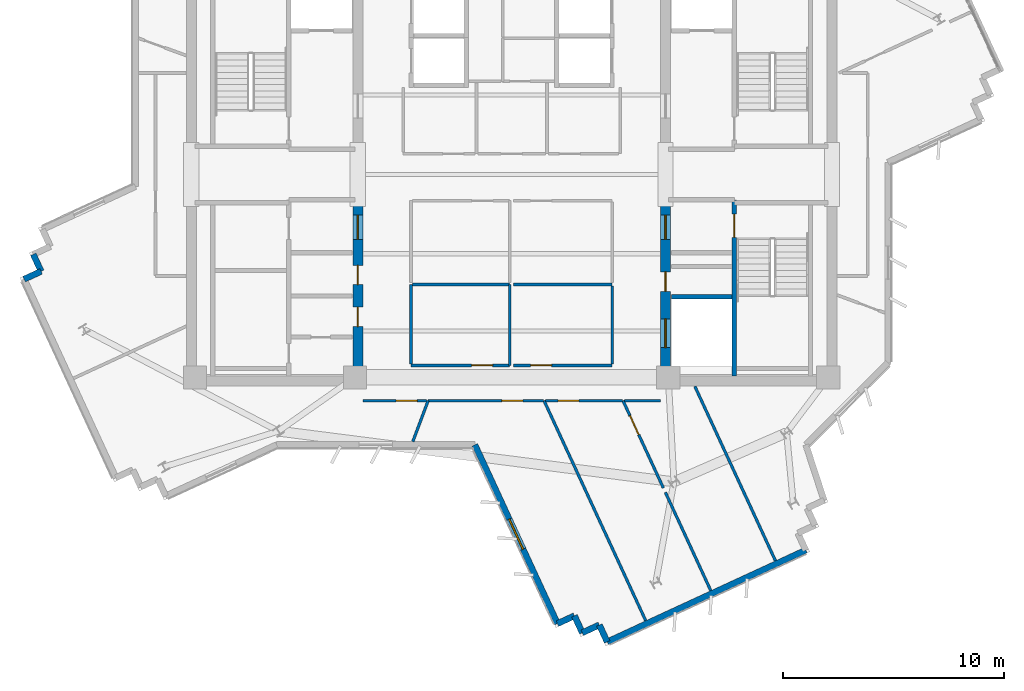
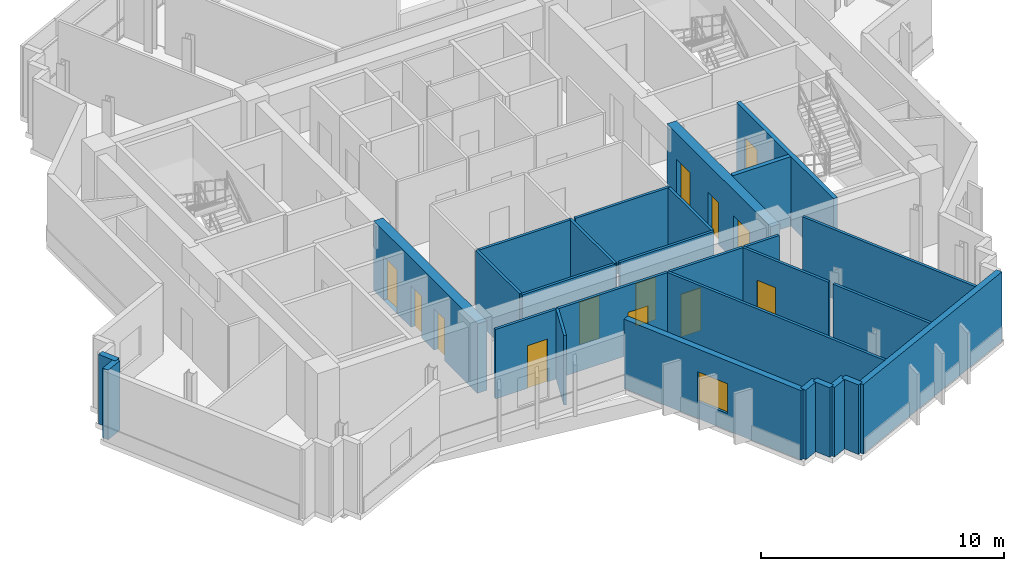
# One storey, part 5 of 12: 28 walls, 13 doors, 1 window, 14 openings.
"""IFC4 building model written with IfcOpenShell, lengths in metres."""

import ifcopenshell
import ifcopenshell.guid

model = None  # the IFC model being written
_history = None  # IfcOwnerHistory: only IFC2X3 demands one
_inside = {}  # id of a spatial element -> (the spatial element, [elements in it])
_under = {}  # id of a project, library or spatial element -> (it, [spatial elements below it])
_declared = {}  # id of a project -> (the project, [libraries it declares])
_typed = {}  # id of a type object -> (the type object, [elements of that type])
_made_of = {}  # id of a material, layer set ... -> (it, [elements and type objects made of it])


def new_model(schema):
    """Start an empty IFC model of exactly this schema.

    Asked for "IFC4X3", IfcOpenShell would pick the latest addendum, in which some entities
    have other attributes; the version numbers below select the first issue.
    IFC2X3 requires an IfcOwnerHistory on every rooted entity: one is made here for all.
    """
    global model, _history
    if schema == "IFC4X3":
        model = ifcopenshell.file(schema_version=(4, 3, 0, 0))
    else:
        model = ifcopenshell.file(schema=schema)
    _inside.clear()
    _under.clear()
    _declared.clear()
    _typed.clear()
    _made_of.clear()
    _history = None
    if model.schema == "IFC2X3":
        org = make("IfcOrganization", Name="unknown")
        user = make(
            "IfcPersonAndOrganization",
            ThePerson=make("IfcPerson", FamilyName="unknown"),
            TheOrganization=org,
        )
        app = make(
            "IfcApplication",
            ApplicationDeveloper=org,
            Version="unknown",
            ApplicationFullName="unknown",
            ApplicationIdentifier="unknown",
        )
        _history = make(
            "IfcOwnerHistory",
            OwningUser=user,
            OwningApplication=app,
            ChangeAction="ADDED",
            CreationDate=0,
        )
    return model


def make(cls, **values):
    """One entity of the class cls with the attributes given. An attribute that is None is left unset."""
    return model.create_entity(
        cls, **{name: value for name, value in values.items() if value is not None}
    )


def rooted(cls, **values):
    """An entity with a GlobalId (a new one), such as an element, a storey or a relation."""
    return make(cls, GlobalId=ifcopenshell.guid.new(), OwnerHistory=_history, **values)


def si_unit(unit_type, name, prefix=None):
    """IfcSIUnit, for example si_unit("LENGTHUNIT", "METRE", prefix="MILLI")."""
    return make("IfcSIUnit", UnitType=unit_type, Prefix=prefix, Name=name)


def assignment(units):
    """IfcUnitAssignment: the units of a project."""
    return None if units is None else make("IfcUnitAssignment", Units=units)


def point(xyz):
    """IfcCartesianPoint."""
    return None if xyz is None else make("IfcCartesianPoint", Coordinates=xyz)


def direction(xyz):
    """IfcDirection."""
    return None if xyz is None else make("IfcDirection", DirectionRatios=xyz)


def frame(location, z_axis=None, x_axis=None):
    """IfcAxis2Placement3D, a coordinate frame: its origin and axes. An axis left out is left unset."""
    return make(
        "IfcAxis2Placement3D",
        Location=point(location),
        Axis=direction(z_axis),
        RefDirection=direction(x_axis),
    )


def frame_2d(location, x_axis=None):
    """IfcAxis2Placement2D, a coordinate frame in the plane: its origin and x axis."""
    return make(
        "IfcAxis2Placement2D", Location=point(location), RefDirection=direction(x_axis)
    )


def origin():
    """The frame at (0, 0, 0) with its axes left unset."""
    return frame((0.0, 0.0, 0.0))


def place(relative_to, where):
    """IfcLocalPlacement: puts the frame where relative to a parent placement (None: the world)."""
    return make(
        "IfcLocalPlacement", PlacementRelTo=relative_to, RelativePlacement=where
    )


def context(
    kind, dimensions, precision=None, world=None, true_north=None, identifier=None
):
    """IfcGeometricRepresentationContext, for example the 3D "Model" context."""
    return make(
        "IfcGeometricRepresentationContext",
        ContextIdentifier=identifier,
        ContextType=kind,
        CoordinateSpaceDimension=dimensions,
        Precision=precision,
        WorldCoordinateSystem=world,
        TrueNorth=true_north,
    )


def subcontext(parent, identifier, kind, view, scale=None):
    """IfcGeometricRepresentationSubContext, for example "Body" below "Model"."""
    return make(
        "IfcGeometricRepresentationSubContext",
        ContextIdentifier=identifier,
        ContextType=kind,
        ParentContext=parent,
        TargetScale=scale,
        TargetView=view,
    )


def project(units=None, contexts=None):
    """IfcProject with its units and contexts."""
    return rooted(
        "IfcProject",
        Name="project",
        RepresentationContexts=contexts,
        UnitsInContext=assignment(units),
    )


def spatial(cls, under=None, at=None, **own):
    """A site, building, storey or space (cls), placed at a placement, below another one or the project."""
    s = rooted(cls, ObjectPlacement=at, **own)
    if under is not None:
        _under.setdefault(under.id(), (under, []))[1].append(s)
    return s


def profile(cls, at=None, kind="AREA", **sizes):
    """A parametric profile (cls). Its sizes go by their IFC names, for example OverallWidth=200.0."""
    return make(cls, ProfileType=kind, Position=at, **sizes)


def rectangle(**sizes):
    """IfcRectangleProfileDef."""
    return profile("IfcRectangleProfileDef", **sizes)


def extrude(swept, where, along, depth):
    """IfcExtrudedAreaSolid: the profile swept, set in the frame where, extruded along a direction by depth."""
    return make(
        "IfcExtrudedAreaSolid",
        SweptArea=swept,
        Position=where,
        ExtrudedDirection=direction(along),
        Depth=depth,
    )


def shape(context_of_items, identifier, shape_type, items):
    """IfcShapeRepresentation: the items that make up one representation, for example the "Body"."""
    return make(
        "IfcShapeRepresentation",
        ContextOfItems=context_of_items,
        RepresentationIdentifier=identifier,
        RepresentationType=shape_type,
        Items=items,
    )


def source(mapping_origin, context_of_items, identifier, shape_type, items):
    """IfcRepresentationMap: a shape defined once, which mapped items show again and again."""
    return make(
        "IfcRepresentationMap",
        MappingOrigin=mapping_origin,
        MappedRepresentation=shape(context_of_items, identifier, shape_type, items),
    )


def transform(
    local_origin,
    x_axis=None,
    y_axis=None,
    z_axis=None,
    scale=None,
    scale2=None,
    scale3=None,
    uniform=True,
):
    """IfcCartesianTransformationOperator3D, or its non-uniform kind. x_axis, y_axis, z_axis: its Axis1, 2, 3."""
    if uniform:
        return make(
            "IfcCartesianTransformationOperator3D",
            Axis1=direction(x_axis),
            Axis2=direction(y_axis),
            LocalOrigin=point(local_origin),
            Scale=scale,
            Axis3=direction(z_axis),
        )
    return make(
        "IfcCartesianTransformationOperator3DnonUniform",
        Axis1=direction(x_axis),
        Axis2=direction(y_axis),
        LocalOrigin=point(local_origin),
        Scale=scale,
        Axis3=direction(z_axis),
        Scale2=scale2,
        Scale3=scale3,
    )


def mapped(mapping_source, mapping_target):
    """IfcMappedItem: shows the shape of a source again, moved by a transform."""
    return make(
        "IfcMappedItem", MappingSource=mapping_source, MappingTarget=mapping_target
    )


def material(Name=None, Category=None):
    """IfcMaterial."""
    return make("IfcMaterial", Name=Name, Category=Category)


def layer(
    of_material, thickness, ventilated=None, Name=None, Category=None, Priority=None
):
    """IfcMaterialLayer: one layer of a wall or slab, of a material (None: an air gap)."""
    return make(
        "IfcMaterialLayer",
        Material=of_material,
        LayerThickness=thickness,
        IsVentilated=ventilated,
        Name=Name,
        Category=Category,
        Priority=Priority,
    )


def layer_set(layers, Name=None):
    """IfcMaterialLayerSet."""
    return make("IfcMaterialLayerSet", MaterialLayers=layers, LayerSetName=Name)


def made_of(thing, what):
    """Note that an element or type object is made of a material, layer set ...; save() writes the relation."""
    if what is not None:
        _made_of.setdefault(what.id(), (what, []))[1].append(thing)
    return thing


def type_object(cls, material=None, **own):
    """A type object (cls), such as IfcWallType, which elements share."""
    return made_of(rooted(cls, **own), material)


def element(
    cls,
    number,
    at=None,
    inside=None,
    cuts=None,
    type_object=None,
    material=None,
    context=None,
    identifier="Body",
    shape_type=None,
    held_by="IfcProductDefinitionShape",
    body=None,
    shapes=None,
    **own,
):
    """One element of the class cls, such as IfcWall. Its Tag is "e" and its number.

    at: its placement. inside: the storey or other place that contains it. cuts: it is an
    opening in that element (IfcRelVoidsElement). A single representation is given by context,
    identifier, shape_type and body (its items); several are given by shapes. held_by: the class
    of the entity that holds the representations. save() writes the other relations.
    """
    e = rooted(cls, Tag="e%d" % number, ObjectPlacement=at, **own)
    if body is not None:
        shapes = [shape(context, identifier, shape_type, body)]
    if shapes is not None:
        e.Representation = make(held_by, Representations=shapes)
    if inside is not None:
        _inside.setdefault(inside.id(), (inside, []))[1].append(e)
    if cuts is not None:
        rooted(
            "IfcRelVoidsElement", RelatingBuildingElement=cuts, RelatedOpeningElement=e
        )
    if type_object is not None:
        _typed.setdefault(type_object.id(), (type_object, []))[1].append(e)
    return made_of(e, material)


def fill(opening, filler):
    """IfcRelFillsElement: the door or window that sits in an opening."""
    return rooted(
        "IfcRelFillsElement",
        RelatingOpeningElement=opening,
        RelatedBuildingElement=filler,
    )


def aggregate(whole, parts):
    """IfcRelAggregates: a whole, such as a stair, and the parts it consists of."""
    return rooted("IfcRelAggregates", RelatingObject=whole, RelatedObjects=parts)


def save(model, path):
    """Write the relations noted so far, then the file.

    IfcRelAggregates (storeys below a building ...), IfcRelContainedInSpatialStructure (elements
    in a storey), IfcRelDefinesByType, IfcRelAssociatesMaterial and IfcRelDeclares: one each for
    every whole, place, type object, material and project.
    """
    for whole, parts in _under.values():
        aggregate(whole, parts)
    for where, things in _inside.values():
        rooted(
            "IfcRelContainedInSpatialStructure",
            RelatedElements=things,
            RelatingStructure=where,
        )
    for kind, things in _typed.values():
        rooted("IfcRelDefinesByType", RelatedObjects=things, RelatingType=kind)
    for what, things in _made_of.values():
        rooted("IfcRelAssociatesMaterial", RelatedObjects=things, RelatingMaterial=what)
    for by, libraries in _declared.values():
        rooted("IfcRelDeclares", RelatingContext=by, RelatedDefinitions=libraries)
    model.write(path)


model = new_model("IFC4")

# Units and contexts
model_context = context("Model", 3, precision=1e-05, world=origin(), true_north=direction((0.0, 1.0)))
body_context = subcontext(model_context, "Body", "Model", "MODEL_VIEW")
ifc_project = project(units=[si_unit("LENGTHUNIT", "METRE"), si_unit("AREAUNIT", "SQUARE_METRE"), si_unit("VOLUMEUNIT", "CUBIC_METRE"), si_unit("PLANEANGLEUNIT", "RADIAN"), si_unit("MASSUNIT", "GRAM", prefix="KILO")], contexts=[model_context])

# Site, building, storey
site_placement = place(None, origin())
site = spatial("IfcSite", under=ifc_project, at=site_placement, CompositionType="ELEMENT")
building_placement = place(site_placement, origin())
building = spatial("IfcBuilding", under=site, at=building_placement, Name="Zahravan Cultural Tower", CompositionType="ELEMENT")
storey_placement = place(building_placement, frame((0.0, 0.0, 246.60009765625)))
storey = spatial("IfcBuildingStorey", under=building, at=storey_placement, Name="L58", CompositionType="ELEMENT", Elevation=246.60009765625)

# Wall, openings, doors
ifc_material_1 = material(Name="Concrete C50/60", Category="concrete")
ifc_layer_1 = layer(ifc_material_1, 0.449951171875)
ifc_layer_set_1 = layer_set([ifc_layer_1], Name="Concrete C50/60")
wall_type_1 = type_object("IfcWallType", Name="CW-SHEAR-450-C50", PredefinedType="SHEAR", material=ifc_layer_set_1)
wall_1_placement = place(storey_placement, frame((29.02490234375, 17.39990234375, 0.0), z_axis=(0.0, 0.0, 1.0), x_axis=(0.0, 1.0, 0.0)))
wall_1 = element("IfcWall", 1, at=wall_1_placement, inside=storey, type_object=wall_type_1, Name="L58 Core Shear Wall CW-W-ES-L58", PredefinedType="SHEAR", context=body_context, shape_type="SweptSolid", body=[
    extrude(rectangle(XDim=8.550048828125, YDim=0.449951171875, at=frame_2d((4.27490234375, 0.0))), origin(), (0.0, 0.0, 1.0), 3.5),
])
opening_1_placement = place(wall_1_placement, frame((6.64990234375, 0.0, 0.0)))
opening_1 = element("IfcOpeningElement", 2, at=opening_1_placement, cuts=wall_1, Name="Opening D-L58-08", PredefinedType="OPENING", context=body_context, shape_type="SweptSolid", body=[
    extrude(rectangle(XDim=1.10009765625, YDim=2.199951171875, at=frame_2d((0.550048828125, 1.10009765625))), frame((0.0, 0.23486328125, 0.0), z_axis=(0.0, -1.0, 0.0), x_axis=(1.0, 0.0, 0.0)), (0.0, 0.0, 1.0), 0.469970703125),
])
opening_2_placement = place(wall_1_placement, frame((2.699951171875, 0.0, 0.0)))
opening_2 = element("IfcOpeningElement", 3, at=opening_2_placement, cuts=wall_1, Name="Opening D-L58-11", PredefinedType="OPENING", context=body_context, shape_type="SweptSolid", body=[
    extrude(rectangle(XDim=0.8798828125, YDim=2.10009765625, at=frame_2d((0.43994140625, 1.050048828125))), frame((0.0, 0.23486328125, 0.0), z_axis=(0.0, -1.0, 0.0), x_axis=(1.0, 0.0, 0.0)), (0.0, 0.0, 1.0), 0.469970703125),
])
opening_3_placement = place(wall_1_placement, frame((4.60009765625, 0.0, 0.0)))
opening_3 = element("IfcOpeningElement", 4, at=opening_3_placement, cuts=wall_1, Name="Opening D-L58-12", PredefinedType="OPENING", context=body_context, shape_type="SweptSolid", body=[
    extrude(rectangle(XDim=0.8798828125, YDim=2.10009765625, at=frame_2d((0.43994140625, 1.050048828125))), frame((0.0, 0.23486328125, 0.0), z_axis=(0.0, -1.0, 0.0), x_axis=(1.0, 0.0, 0.0)), (0.0, 0.0, 1.0), 0.469970703125),
])
ifc_material_2 = material(Name="Steel ASTM A572 Grade 50", Category="steel")
door_type_1 = type_object("IfcDoorType", Name="DR-LOBBY-1100", OperationType="NOTDEFINED", PredefinedType="DOOR", material=ifc_material_2)
shared_shape_1 = source(origin(), body_context, "Body", "SweptSolid", [
    extrude(rectangle(XDim=1.10009765625, YDim=2.199951171875, at=frame_2d((0.550048828125, 1.10009765625))), frame((0.0, 0.02490234375, 0.0), z_axis=(0.0, -1.0, 0.0), x_axis=(1.0, 0.0, 0.0)), (0.0, 0.0, 1.0), 0.050048828125),
])
door_1_placement = place(opening_1_placement, origin())
door_1 = element("IfcDoor", 5, at=door_1_placement, inside=storey, type_object=door_type_1, Name="L58 Door D-L58-08", OperationType="SINGLE_SWING_LEFT", OverallHeight=2.199951171875, OverallWidth=1.10009765625, PredefinedType="DOOR", context=body_context, shape_type="MappedRepresentation", body=[
    mapped(shared_shape_1, transform((0.0, 0.0, 0.0), x_axis=(1.0, 0.0, 0.0), y_axis=(0.0, 1.0, 0.0), z_axis=(0.0, 0.0, 1.0), scale=1.0)),
])
fill(opening_1, door_1)
door_type_2 = type_object("IfcDoorType", Name="DR-SVC-880", OperationType="NOTDEFINED", PredefinedType="DOOR", material=ifc_material_2)
shared_shape_2 = source(origin(), body_context, "Body", "SweptSolid", [
    extrude(rectangle(XDim=0.8798828125, YDim=2.10009765625, at=frame_2d((0.43994140625, 1.050048828125))), frame((0.0, 0.02490234375, 0.0), z_axis=(0.0, -1.0, 0.0), x_axis=(1.0, 0.0, 0.0)), (0.0, 0.0, 1.0), 0.050048828125),
])
door_2_placement = place(opening_2_placement, origin())
door_2 = element("IfcDoor", 6, at=door_2_placement, inside=storey, type_object=door_type_2, Name="L58 Door D-L58-11", OperationType="SINGLE_SWING_RIGHT", OverallHeight=2.10009765625, OverallWidth=0.8798828125, PredefinedType="DOOR", context=body_context, shape_type="MappedRepresentation", body=[
    mapped(shared_shape_2, transform((0.0, 0.0, 0.0), x_axis=(1.0, 0.0, 0.0), y_axis=(0.0, 1.0, 0.0), z_axis=(0.0, 0.0, 1.0), scale=1.0)),
])
fill(opening_2, door_2)
door_3_placement = place(opening_3_placement, origin())
door_3 = element("IfcDoor", 7, at=door_3_placement, inside=storey, type_object=door_type_2, Name="L58 Door D-L58-12", OperationType="SINGLE_SWING_LEFT", OverallHeight=2.10009765625, OverallWidth=0.8798828125, PredefinedType="DOOR", context=body_context, shape_type="MappedRepresentation", body=[
    mapped(shared_shape_2, transform((0.0, 0.0, 0.0), x_axis=(1.0, 0.0, 0.0), y_axis=(0.0, 1.0, 0.0), z_axis=(0.0, 0.0, 1.0), scale=1.0)),
])
fill(opening_3, door_3)

wall_2_placement = place(storey_placement, frame((42.97509765625, 17.39990234375, 0.0), z_axis=(0.0, 0.0, 1.0), x_axis=(0.0, 1.0, 0.0)))
wall_2 = element("IfcWall", 8, at=wall_2_placement, inside=storey, type_object=wall_type_1, Name="L58 Core Shear Wall CW-E-WS-L58", PredefinedType="SHEAR", context=body_context, shape_type="SweptSolid", body=[
    extrude(rectangle(XDim=8.550048828125, YDim=0.449951171875, at=frame_2d((4.27490234375, 0.0))), origin(), (0.0, 0.0, 1.0), 3.5),
])
opening_4_placement = place(wall_2_placement, frame((6.64990234375, 0.0, 0.0)))
opening_4 = element("IfcOpeningElement", 9, at=opening_4_placement, cuts=wall_2, Name="Opening D-L58-09", PredefinedType="OPENING", context=body_context, shape_type="SweptSolid", body=[
    extrude(rectangle(XDim=1.10009765625, YDim=2.199951171875, at=frame_2d((0.550048828125, 1.10009765625))), frame((0.0, 0.23486328125, 0.0), z_axis=(0.0, -1.0, 0.0), x_axis=(1.0, 0.0, 0.0)), (0.0, 0.0, 1.0), 0.469970703125),
])
opening_5_placement = place(wall_2_placement, frame((1.75, 0.0, 0.0)))
opening_5 = element("IfcOpeningElement", 10, at=opening_5_placement, cuts=wall_2, Name="Opening LD-L58-03", PredefinedType="OPENING", context=body_context, shape_type="SweptSolid", body=[
    extrude(rectangle(XDim=1.300048828125, YDim=2.199951171875, at=frame_2d((0.64990234375, 1.10009765625))), frame((0.0, 0.23486328125, 0.0), z_axis=(0.0, -1.0, 0.0), x_axis=(1.0, 0.0, 0.0)), (0.0, 0.0, 1.0), 0.469970703125),
])
opening_6_placement = place(wall_2_placement, frame((4.300048828125, 0.0, 0.0)))
opening_6 = element("IfcOpeningElement", 11, at=opening_6_placement, cuts=wall_2, Name="Opening D-L58-13", PredefinedType="OPENING", context=body_context, shape_type="SweptSolid", body=[
    extrude(rectangle(XDim=0.8798828125, YDim=2.10009765625, at=frame_2d((0.43994140625, 1.050048828125))), frame((0.0, 0.23486328125, 0.0), z_axis=(0.0, -1.0, 0.0), x_axis=(1.0, 0.0, 0.0)), (0.0, 0.0, 1.0), 0.469970703125),
])
door_4_placement = place(opening_4_placement, origin())
door_4 = element("IfcDoor", 12, at=door_4_placement, inside=storey, type_object=door_type_1, Name="L58 Door D-L58-09", OperationType="SINGLE_SWING_RIGHT", OverallHeight=2.199951171875, OverallWidth=1.10009765625, PredefinedType="DOOR", context=body_context, shape_type="MappedRepresentation", body=[
    mapped(shared_shape_1, transform((0.0, 0.0, 0.0), x_axis=(1.0, 0.0, 0.0), y_axis=(0.0, 1.0, 0.0), z_axis=(0.0, 0.0, 1.0), scale=1.0)),
])
fill(opening_4, door_4)
door_type_3 = type_object("IfcDoorType", Name="DR-LIFT-1300", OperationType="DOUBLE_DOOR_SLIDING", PredefinedType="DOOR", material=ifc_material_2)
shared_shape_3 = source(origin(), body_context, "Body", "SweptSolid", [
    extrude(rectangle(XDim=1.300048828125, YDim=2.199951171875, at=frame_2d((0.64990234375, 1.10009765625))), frame((0.0, 0.02490234375, 0.0), z_axis=(0.0, -1.0, 0.0), x_axis=(1.0, 0.0, 0.0)), (0.0, 0.0, 1.0), 0.050048828125),
])
door_5_placement = place(opening_5_placement, origin())
door_5 = element("IfcDoor", 13, at=door_5_placement, inside=storey, type_object=door_type_3, Name="L58 Door LD-L58-03", OperationType="DOUBLE_DOOR_SLIDING", OverallHeight=2.199951171875, OverallWidth=1.300048828125, PredefinedType="DOOR", context=body_context, shape_type="MappedRepresentation", body=[
    mapped(shared_shape_3, transform((0.0, 0.0, 0.0), x_axis=(1.0, 0.0, 0.0), y_axis=(0.0, 1.0, 0.0), z_axis=(0.0, 0.0, 1.0), scale=1.0)),
])
fill(opening_5, door_5)
door_6_placement = place(opening_6_placement, origin())
door_6 = element("IfcDoor", 14, at=door_6_placement, inside=storey, type_object=door_type_2, Name="L58 Door D-L58-13", OperationType="SINGLE_SWING_RIGHT", OverallHeight=2.10009765625, OverallWidth=0.8798828125, PredefinedType="DOOR", context=body_context, shape_type="MappedRepresentation", body=[
    mapped(shared_shape_2, transform((0.0, 0.0, 0.0), x_axis=(1.0, 0.0, 0.0), y_axis=(0.0, 1.0, 0.0), z_axis=(0.0, 0.0, 1.0), scale=1.0)),
])
fill(opening_6, door_6)

# Wall, opening, window
ifc_material_3 = material(Name="Precast concrete C40/50", Category="concrete")
ifc_layer_2 = layer(ifc_material_3, 0.280029296875)
ifc_layer_set_2 = layer_set([ifc_layer_2], Name="Precast concrete C40/50")
wall_type_2 = type_object("IfcWallType", Name="EW-TC-280", PredefinedType="SOLIDWALL", material=ifc_layer_set_2)
wall_3_placement = place(storey_placement, frame((38.07470703125, 6.6318359375, 0.0), z_axis=(0.0, 0.0, 1.0), x_axis=(-0.419437747849, 0.90778410191, 0.0)))
wall_3 = element("IfcWall", 15, at=wall_3_placement, inside=storey, type_object=wall_type_2, Name="L58 Exterior Masonry Frame Wall 23", PredefinedType="SOLIDWALL", context=body_context, shape_type="SweptSolid", body=[
    extrude(rectangle(XDim=8.931884765625, YDim=0.280029296875, at=frame_2d((4.4658203125, 0.0))), origin(), (0.0, 0.0, 1.0), 3.5),
])
opening_7_placement = place(wall_3_placement, frame((3.716064453125, 0.0, 0.85009765625)))
opening_7 = element("IfcOpeningElement", 16, at=opening_7_placement, cuts=wall_3, Name="Opening WN-03", PredefinedType="OPENING", context=body_context, shape_type="SweptSolid", body=[
    extrude(rectangle(XDim=1.5, YDim=1.5, at=frame_2d((0.75, 0.75))), frame((0.0, 0.14990234375, 0.0), z_axis=(0.0, -1.0, 0.0), x_axis=(1.0, 0.0, 0.0)), (0.0, 0.0, 1.0), 0.300048828125),
])
ifc_material_4 = material(Name="Low-E solar-control double glazing", Category="glass")
window_type = type_object("IfcWindowType", Name="WN-REC-1500X1500", PartitioningType="SINGLE_PANEL", PredefinedType="WINDOW", material=ifc_material_4)
shared_shape_4 = source(origin(), body_context, "Body", "SweptSolid", [
    extrude(rectangle(XDim=1.5, YDim=1.5, at=frame_2d((0.75, 0.75))), frame((0.0, 0.030029296875, 0.0), z_axis=(0.0, -1.0, 0.0), x_axis=(1.0, 0.0, 0.0)), (0.0, 0.0, 1.0), 0.06005859375),
])
window_placement = place(opening_7_placement, origin())
window = element("IfcWindow", 17, at=window_placement, inside=storey, type_object=window_type, Name="L58 Recessed Solar Window 05", OverallHeight=1.5, OverallWidth=1.5, PartitioningType="SINGLE_PANEL", PredefinedType="WINDOW", context=body_context, shape_type="MappedRepresentation", body=[
    mapped(shared_shape_4, transform((0.0, 0.0, 0.0), x_axis=(1.0, 0.0, 0.0), y_axis=(0.0, 1.0, 0.0), z_axis=(0.0, 0.0, 1.0), scale=1.0)),
])
fill(opening_7, window)

# Wall, opening, door
ifc_material_5 = material(Name="Gypsum plasterboard partition")
ifc_layer_3 = layer(ifc_material_5, 0.125)
ifc_layer_set_3 = layer_set([ifc_layer_3], Name="Gypsum plasterboard partition")
wall_type_3 = type_object("IfcWallType", Name="W-PART-125", PredefinedType="PARTITIONING", material=ifc_layer_set_3)
wall_4_placement = place(storey_placement, frame((35.909912109375, 18.340087890625, 0.0), z_axis=(0.0, 0.0, 1.0), x_axis=(-1.0, 0.0, 0.0)))
wall_4 = element("IfcWall", 18, at=wall_4_placement, inside=storey, type_object=wall_type_3, Name="L58 Interior Wall 058", PredefinedType="PARTITIONING", context=body_context, shape_type="SweptSolid", body=[
    extrude(rectangle(XDim=4.469970703125, YDim=0.125, at=frame_2d((2.23486328125, 0.0))), origin(), (0.0, 0.0, 1.0), 3.5),
])
opening_8_placement = place(wall_4_placement, frame((0.7744140625, 0.0, 0.0)))
opening_8 = element("IfcOpeningElement", 19, at=opening_8_placement, cuts=wall_4, Name="Opening D-L58-14", PredefinedType="OPENING", context=body_context, shape_type="SweptSolid", body=[
    extrude(rectangle(XDim=0.949951171875, YDim=2.14990234375, at=frame_2d((0.47509765625, 1.074951171875))), frame((0.0, 0.072509765625, 0.0), z_axis=(0.0, -1.0, 0.0), x_axis=(1.0, 0.0, 0.0)), (0.0, 0.0, 1.0), 0.14501953125),
])
ifc_material_6 = material(Name="Anodised bronze-aluminium mullion", Category="aluminium")
door_type_4 = type_object("IfcDoorType", Name="DR-ROOM-950", OperationType="NOTDEFINED", PredefinedType="DOOR", material=ifc_material_6)
shared_shape_5 = source(origin(), body_context, "Body", "SweptSolid", [
    extrude(rectangle(XDim=0.949951171875, YDim=2.14990234375, at=frame_2d((0.47509765625, 1.074951171875))), frame((0.0, 0.02490234375, 0.0), z_axis=(0.0, -1.0, 0.0), x_axis=(1.0, 0.0, 0.0)), (0.0, 0.0, 1.0), 0.050048828125),
])
door_7_placement = place(opening_8_placement, origin())
door_7 = element("IfcDoor", 20, at=door_7_placement, inside=storey, type_object=door_type_4, Name="L58 Door D-L58-14", OperationType="SINGLE_SWING_LEFT", OverallHeight=2.14990234375, OverallWidth=0.949951171875, PredefinedType="DOOR", context=body_context, shape_type="MappedRepresentation", body=[
    mapped(shared_shape_5, transform((0.0, 0.0, 0.0), x_axis=(1.0, 0.0, 0.0), y_axis=(0.0, 1.0, 0.0), z_axis=(0.0, 0.0, 1.0), scale=1.0)),
])
fill(opening_8, door_7)

wall_5_placement = place(storey_placement, frame((40.56005859375, 18.340087890625, 0.0), z_axis=(0.0, 0.0, 1.0), x_axis=(-1.0, 0.0, 0.0)))
wall_5 = element("IfcWall", 21, at=wall_5_placement, inside=storey, type_object=wall_type_3, Name="L58 Interior Wall 062", PredefinedType="PARTITIONING", context=body_context, shape_type="SweptSolid", body=[
    extrude(rectangle(XDim=4.469970703125, YDim=0.125, at=frame_2d((2.23486328125, 0.0))), origin(), (0.0, 0.0, 1.0), 3.5),
])
opening_9_placement = place(wall_5_placement, frame((2.74560546875, 0.0, 0.0)))
opening_9 = element("IfcOpeningElement", 22, at=opening_9_placement, cuts=wall_5, Name="Opening D-L58-16", PredefinedType="OPENING", context=body_context, shape_type="SweptSolid", body=[
    extrude(rectangle(XDim=0.949951171875, YDim=2.14990234375, at=frame_2d((0.47509765625, 1.074951171875))), frame((0.0, 0.072509765625, 0.0), z_axis=(0.0, -1.0, 0.0), x_axis=(1.0, 0.0, 0.0)), (0.0, 0.0, 1.0), 0.14501953125),
])
door_8_placement = place(opening_9_placement, origin())
door_8 = element("IfcDoor", 23, at=door_8_placement, inside=storey, type_object=door_type_4, Name="L58 Door D-L58-16", OperationType="SINGLE_SWING_LEFT", OverallHeight=2.14990234375, OverallWidth=0.949951171875, PredefinedType="DOOR", context=body_context, shape_type="MappedRepresentation", body=[
    mapped(shared_shape_5, transform((0.0, 0.0, 0.0), x_axis=(1.0, 0.0, 0.0), y_axis=(0.0, 1.0, 0.0), z_axis=(0.0, 0.0, 1.0), scale=1.0)),
])
fill(opening_9, door_8)

wall_6_placement = place(storey_placement, frame((42.877197265625, 12.78369140625, 0.0), z_axis=(0.0, 0.0, 1.0), x_axis=(-0.419416941906, 0.907793714917, 0.0)))
wall_6 = element("IfcWall", 24, at=wall_6_placement, inside=storey, type_object=wall_type_3, Name="L58 Interior Wall 075", PredefinedType="PARTITIONING", context=body_context, shape_type="SweptSolid", body=[
    extrude(rectangle(XDim=4.358154296875, YDim=0.125, at=frame_2d((2.17919921875, 0.0))), origin(), (0.0, 0.0, 1.0), 3.5),
])
opening_10_placement = place(wall_6_placement, frame((2.658203125, 0.0, 0.0)))
opening_10 = element("IfcOpeningElement", 25, at=opening_10_placement, cuts=wall_6, Name="Opening D-L58-34", PredefinedType="OPENING", context=body_context, shape_type="SweptSolid", body=[
    extrude(rectangle(XDim=0.949951171875, YDim=2.14990234375, at=frame_2d((0.47509765625, 1.074951171875))), frame((0.0, 0.072509765625, 0.0), z_axis=(0.0, -1.0, 0.0), x_axis=(1.0, 0.0, 0.0)), (0.0, 0.0, 1.0), 0.14501953125),
])
door_9_placement = place(opening_10_placement, origin())
door_9 = element("IfcDoor", 26, at=door_9_placement, inside=storey, type_object=door_type_4, Name="L58 Door D-L58-34", OperationType="SINGLE_SWING_LEFT", OverallHeight=2.14990234375, OverallWidth=0.949951171875, PredefinedType="DOOR", context=body_context, shape_type="MappedRepresentation", body=[
    mapped(shared_shape_5, transform((0.0, 0.0, 0.0), x_axis=(1.0, 0.0, 0.0), y_axis=(0.0, 1.0, 0.0), z_axis=(0.0, 0.0, 1.0), scale=1.0)),
])
fill(opening_10, door_9)

wall_7_placement = place(storey_placement, frame((37.54345703125, 16.739990234375, 0.0), z_axis=(0.0, 0.0, 1.0), x_axis=(1.0, 0.0, 0.0)))
wall_7 = element("IfcWall", 27, at=wall_7_placement, inside=storey, type_object=wall_type_3, Name="L58 Interior Wall 079", PredefinedType="PARTITIONING", context=body_context, shape_type="SweptSolid", body=[
    extrude(rectangle(XDim=3.483642578125, YDim=0.125, at=frame_2d((1.74169921875, 0.0))), origin(), (0.0, 0.0, 1.0), 3.5),
])
opening_11_placement = place(wall_7_placement, frame((0.557373046875, 0.0, 0.0)))
opening_11 = element("IfcOpeningElement", 28, at=opening_11_placement, cuts=wall_7, Name="Opening D-L58-30", PredefinedType="OPENING", context=body_context, shape_type="SweptSolid", body=[
    extrude(rectangle(XDim=0.949951171875, YDim=2.14990234375, at=frame_2d((0.47509765625, 1.074951171875))), frame((0.0, 0.072509765625, 0.0), z_axis=(0.0, -1.0, 0.0), x_axis=(1.0, 0.0, 0.0)), (0.0, 0.0, 1.0), 0.14501953125),
])
door_10_placement = place(opening_11_placement, origin())
door_10 = element("IfcDoor", 29, at=door_10_placement, inside=storey, type_object=door_type_4, Name="L58 Door D-L58-30", OperationType="SINGLE_SWING_LEFT", OverallHeight=2.14990234375, OverallWidth=0.949951171875, PredefinedType="DOOR", context=body_context, shape_type="MappedRepresentation", body=[
    mapped(shared_shape_5, transform((0.0, 0.0, 0.0), x_axis=(1.0, 0.0, 0.0), y_axis=(0.0, 1.0, 0.0), z_axis=(0.0, 0.0, 1.0), scale=1.0)),
])
fill(opening_11, door_10)

wall_8_placement = place(storey_placement, frame((32.211181640625, 16.739990234375, 0.0), z_axis=(0.0, 0.0, 1.0), x_axis=(1.0, 0.0, 0.0)))
wall_8 = element("IfcWall", 30, at=wall_8_placement, inside=storey, type_object=wall_type_3, Name="L58 Interior Wall 095", PredefinedType="PARTITIONING", context=body_context, shape_type="SweptSolid", body=[
    extrude(rectangle(XDim=5.23583984375, YDim=0.125, at=frame_2d((2.617919921875, 0.0))), origin(), (0.0, 0.0, 1.0), 3.5),
])
opening_12_placement = place(wall_8_placement, frame((3.343017578125, 0.0, 0.0)))
opening_12 = element("IfcOpeningElement", 31, at=opening_12_placement, cuts=wall_8, Name="Opening D-L58-29", PredefinedType="OPENING", context=body_context, shape_type="SweptSolid", body=[
    extrude(rectangle(XDim=0.949951171875, YDim=2.14990234375, at=frame_2d((0.47509765625, 1.074951171875))), frame((0.0, 0.072509765625, 0.0), z_axis=(0.0, -1.0, 0.0), x_axis=(1.0, 0.0, 0.0)), (0.0, 0.0, 1.0), 0.14501953125),
])
door_11_placement = place(opening_12_placement, origin())
door_11 = element("IfcDoor", 32, at=door_11_placement, inside=storey, type_object=door_type_4, Name="L58 Door D-L58-29", OperationType="SINGLE_SWING_RIGHT", OverallHeight=2.14990234375, OverallWidth=0.949951171875, PredefinedType="DOOR", context=body_context, shape_type="MappedRepresentation", body=[
    mapped(shared_shape_5, transform((0.0, 0.0, 0.0), x_axis=(1.0, 0.0, 0.0), y_axis=(0.0, 1.0, 0.0), z_axis=(0.0, 0.0, 1.0), scale=1.0)),
])
fill(opening_12, door_11)

wall_9_placement = place(storey_placement, frame((29.25341796875, 16.7412109375, 0.0), z_axis=(0.0, 0.0, 1.0), x_axis=(0.999999910531, -0.000423011806, 0.0)))
wall_9 = element("IfcWall", 33, at=wall_9_placement, inside=storey, type_object=wall_type_3, Name="L58 Interior Wall 101", PredefinedType="PARTITIONING", context=body_context, shape_type="SweptSolid", body=[
    extrude(rectangle(XDim=2.8857421875, YDim=0.125, at=frame_2d((1.44287109375, 0.0))), origin(), (0.0, 0.0, 1.0), 3.5),
])
opening_13_placement = place(wall_9_placement, frame((1.510009765625, 0.0, 0.0)))
opening_13 = element("IfcOpeningElement", 34, at=opening_13_placement, cuts=wall_9, Name="Opening D-L58-28", PredefinedType="OPENING", context=body_context, shape_type="SweptSolid", body=[
    extrude(rectangle(XDim=0.949951171875, YDim=2.14990234375, at=frame_2d((0.47509765625, 1.074951171875))), frame((0.0, 0.072509765625, 0.0), z_axis=(0.0, -1.0, 0.0), x_axis=(1.0, 0.0, 0.0)), (0.0, 0.0, 1.0), 0.14501953125),
])
door_12_placement = place(opening_13_placement, origin())
door_12 = element("IfcDoor", 35, at=door_12_placement, inside=storey, type_object=door_type_4, Name="L58 Door D-L58-28", OperationType="SINGLE_SWING_LEFT", OverallHeight=2.14990234375, OverallWidth=0.949951171875, PredefinedType="DOOR", context=body_context, shape_type="MappedRepresentation", body=[
    mapped(shared_shape_5, transform((0.0, 0.0, 0.0), x_axis=(1.0, 0.0, 0.0), y_axis=(0.0, 1.0, 0.0), z_axis=(0.0, 0.0, 1.0), scale=1.0)),
])
fill(opening_13, door_12)

ifc_material_7 = material(Name="Concrete C45/55", Category="concrete")
ifc_layer_4 = layer(ifc_material_7, 0.199951171875)
ifc_layer_set_4 = layer_set([ifc_layer_4], Name="Concrete C45/55")
wall_type_4 = type_object("IfcWallType", Name="W-SHAFT-200", PredefinedType="SOLIDWALL", material=ifc_layer_set_4)
wall_10_placement = place(storey_placement, frame((46.10009765625, 17.85009765625, 0.0), z_axis=(0.0, 0.0, 1.0), x_axis=(0.0, 1.0, 0.0)))
wall_10 = element("IfcWall", 36, at=wall_10_placement, inside=storey, type_object=wall_type_4, Name="L58 Interior Wall 007", PredefinedType="SOLIDWALL", context=body_context, shape_type="SweptSolid", body=[
    extrude(rectangle(XDim=8.0, YDim=0.199951171875, at=frame_2d((4.0, 0.0))), origin(), (0.0, 0.0, 1.0), 3.5),
])
opening_14_placement = place(wall_10_placement, frame((6.300048828125, 0.0, 0.0)))
opening_14 = element("IfcOpeningElement", 37, at=opening_14_placement, cuts=wall_10, Name="Opening D-L58-03", PredefinedType="OPENING", context=body_context, shape_type="SweptSolid", body=[
    extrude(rectangle(XDim=1.050048828125, YDim=2.14990234375, at=frame_2d((0.52490234375, 1.074951171875))), frame((0.0, 0.10986328125, 0.0), z_axis=(0.0, -1.0, 0.0), x_axis=(1.0, 0.0, 0.0)), (0.0, 0.0, 1.0), 0.219970703125),
])
door_type_5 = type_object("IfcDoorType", Name="DR-STAIR-1050", OperationType="NOTDEFINED", PredefinedType="DOOR", material=ifc_material_2)
shared_shape_6 = source(origin(), body_context, "Body", "SweptSolid", [
    extrude(rectangle(XDim=1.050048828125, YDim=2.14990234375, at=frame_2d((0.52490234375, 1.074951171875))), frame((0.0, 0.02490234375, 0.0), z_axis=(0.0, -1.0, 0.0), x_axis=(1.0, 0.0, 0.0)), (0.0, 0.0, 1.0), 0.050048828125),
])
door_13_placement = place(opening_14_placement, origin())
door_13 = element("IfcDoor", 38, at=door_13_placement, inside=storey, type_object=door_type_5, Name="L58 Door D-L58-03", OperationType="SINGLE_SWING_RIGHT", OverallHeight=2.14990234375, OverallWidth=1.050048828125, PredefinedType="DOOR", context=body_context, shape_type="MappedRepresentation", body=[
    mapped(shared_shape_6, transform((0.0, 0.0, 0.0), x_axis=(1.0, 0.0, 0.0), y_axis=(0.0, 1.0, 0.0), z_axis=(0.0, 0.0, 1.0), scale=1.0)),
])
fill(opening_14, door_13)

# Walls
shared_shape_7 = source(origin(), body_context, "Body", "SweptSolid", [
    extrude(rectangle(XDim=0.85009765625, YDim=0.280029296875, at=frame_2d((0.425048828125, 0.0))), origin(), (0.0, 0.0, 1.0), 3.5),
])
for number, where, z_axis, x_axis, name in (
    (39, (39.974609375, 6.5732421875, 0.0), (0.0, 0.0, 1.0), (-0.907841666427, -0.419313139191, 0.0), "L58 Exterior Masonry Frame Wall 20"),
    (40, (38.846435546875, 6.98828125, 0.0), (0.0, 0.0, 1.0), (-0.907841666427, -0.419313139191, 0.0), "L58 Exterior Masonry Frame Wall 22"),
    (41, (13.893798828125, 22.24951171875, 0.0), (0.0, 0.0, 1.0), (0.907841666427, 0.419313139191, 0.0), "L58 Exterior Masonry Frame Wall 31"),
    (42, (14.66552734375, 22.60595703125, 0.0), (0.0, 0.0, 1.0), (-0.419313139191, 0.907841666427, 0.0), "L58 Exterior Masonry Frame Wall 32"),
):
    element("IfcWall", number, at=place(storey_placement, frame(where, z_axis=z_axis, x_axis=x_axis)), inside=storey, type_object=wall_type_2, Name=name, PredefinedType="SOLIDWALL", context=body_context, shape_type="MappedRepresentation", body=[
        mapped(shared_shape_7, transform((0.0, 0.0, 0.0), x_axis=(1.0, 0.0, 0.0), y_axis=(0.0, 1.0, 0.0), z_axis=(0.0, 0.0, 1.0), scale=1.0)),
    ])
shared_shape_8 = source(origin(), body_context, "Body", "SweptSolid", [
    extrude(rectangle(XDim=0.849853515625, YDim=0.280029296875, at=frame_2d((0.4248046875, 0.0))), origin(), (0.0, 0.0, 1.0), 3.5),
])
for number, where, z_axis, x_axis, name in (
    (43, (40.3310546875, 5.8017578125, 0.0), (0.0, 0.0, 1.0), (-0.419422493365, 0.907791150023, 0.0), "L58 Exterior Masonry Frame Wall 19"),
    (44, (39.202880859375, 6.216796875, 0.0), (0.0, 0.0, 1.0), (-0.419422493365, 0.907791150023, 0.0), "L58 Exterior Masonry Frame Wall 21"),
):
    element("IfcWall", number, at=place(storey_placement, frame(where, z_axis=z_axis, x_axis=x_axis)), inside=storey, type_object=wall_type_2, Name=name, PredefinedType="SOLIDWALL", context=body_context, shape_type="MappedRepresentation", body=[
        mapped(shared_shape_8, transform((0.0, 0.0, 0.0), x_axis=(1.0, 0.0, 0.0), y_axis=(0.0, 1.0, 0.0), z_axis=(0.0, 0.0, 1.0), scale=1.0)),
    ])
shared_shape_9 = source(origin(), body_context, "Body", "SweptSolid", [
    extrude(rectangle(XDim=9.919921875, YDim=0.280029296875, at=frame_2d((4.9599609375, 0.0))), origin(), (0.0, 0.0, 1.0), 3.5),
])
wall_11_placement = place(storey_placement, frame((49.336181640625, 9.962646484375, 0.0), z_axis=(0.0, 0.0, 1.0), x_axis=(-0.907779940536, -0.419446754143, 0.0)))
element("IfcWall", 45, at=wall_11_placement, inside=storey, type_object=wall_type_2, Name="L58 Exterior Masonry Frame Wall 18", PredefinedType="SOLIDWALL", context=body_context, shape_type="MappedRepresentation", body=[
    mapped(shared_shape_9, transform((0.0, 0.0, 0.0), x_axis=(1.0, 0.0, 0.0), y_axis=(0.0, 1.0, 0.0), z_axis=(0.0, 0.0, 1.0), scale=1.0)),
])
shared_shape_10 = source(origin(), body_context, "Body", "SweptSolid", [
    extrude(rectangle(XDim=2.75, YDim=0.199951171875, at=frame_2d((1.375, 0.0))), origin(), (0.0, 0.0, 1.0), 3.5),
])
wall_12_placement = place(storey_placement, frame((43.25, 21.449951171875, 0.0), z_axis=(0.0, 0.0, 1.0), x_axis=(1.0, 0.0, 0.0)))
element("IfcWall", 46, at=wall_12_placement, inside=storey, type_object=wall_type_4, Name="L58 Interior Wall 026", PredefinedType="SOLIDWALL", context=body_context, shape_type="MappedRepresentation", body=[
    mapped(shared_shape_10, transform((0.0, 0.0, 0.0), x_axis=(1.0, 0.0, 0.0), y_axis=(0.0, 1.0, 0.0), z_axis=(0.0, 0.0, 1.0), scale=1.0)),
])
shared_shape_11 = source(origin(), body_context, "Body", "SweptSolid", [
    extrude(rectangle(XDim=4.903564453125, YDim=0.125, at=frame_2d((2.45166015625, 0.0))), origin(), (0.0, 0.0, 1.0), 3.5),
])
wall_13_placement = place(storey_placement, frame((45.027099609375, 8.13134765625, 0.0), z_axis=(0.0, 0.0, 1.0), x_axis=(-0.419459107568, 0.907774232438, 0.0)))
element("IfcWall", 47, at=wall_13_placement, inside=storey, type_object=wall_type_3, Name="L58 Interior Wall 074", PredefinedType="PARTITIONING", context=body_context, shape_type="MappedRepresentation", body=[
    mapped(shared_shape_11, transform((0.0, 0.0, 0.0), x_axis=(1.0, 0.0, 0.0), y_axis=(0.0, 1.0, 0.0), z_axis=(0.0, 0.0, 1.0), scale=1.0)),
])
shared_shape_12 = source(origin(), body_context, "Body", "SweptSolid", [
    extrude(rectangle(XDim=1.623046875, YDim=0.125, at=frame_2d((0.8115234375, 0.0))), origin(), (0.0, 0.0, 1.0), 3.5),
])
wall_14_placement = place(storey_placement, frame((41.12353515625, 16.739990234375, 0.0), z_axis=(0.0, 0.0, 1.0), x_axis=(0.999999717168, 0.000752105684, 0.0)))
element("IfcWall", 48, at=wall_14_placement, inside=storey, type_object=wall_type_3, Name="L58 Interior Wall 076", PredefinedType="PARTITIONING", context=body_context, shape_type="MappedRepresentation", body=[
    mapped(shared_shape_12, transform((0.0, 0.0, 0.0), x_axis=(1.0, 0.0, 0.0), y_axis=(0.0, 1.0, 0.0), z_axis=(0.0, 0.0, 1.0), scale=1.0)),
])
shared_shape_13 = source(origin(), body_context, "Body", "SweptSolid", [
    extrude(rectangle(XDim=8.71240234375, YDim=0.125, at=frame_2d((4.356201171875, 0.0))), origin(), (0.0, 0.0, 1.0), 3.5),
])
wall_15_placement = place(storey_placement, frame((44.3046875, 17.39501953125, 0.0), z_axis=(0.0, 0.0, 1.0), x_axis=(0.419438424399, -0.907783789312, 0.0)))
element("IfcWall", 49, at=wall_15_placement, inside=storey, type_object=wall_type_3, Name="L58 Interior Wall 077", PredefinedType="PARTITIONING", context=body_context, shape_type="MappedRepresentation", body=[
    mapped(shared_shape_13, transform((0.0, 0.0, 0.0), x_axis=(1.0, 0.0, 0.0), y_axis=(0.0, 1.0, 0.0), z_axis=(0.0, 0.0, 1.0), scale=1.0)),
])
shared_shape_14 = source(origin(), body_context, "Body", "SweptSolid", [
    extrude(rectangle(XDim=10.98486328125, YDim=0.125, at=frame_2d((5.492431640625, 0.0))), origin(), (0.0, 0.0, 1.0), 3.5),
])
wall_16_placement = place(storey_placement, frame((42.07666015625, 6.76806640625, 0.0), z_axis=(0.0, 0.0, 1.0), x_axis=(-0.41945135704, 0.907777813717, 0.0)))
element("IfcWall", 50, at=wall_16_placement, inside=storey, type_object=wall_type_3, Name="L58 Interior Wall 078", PredefinedType="PARTITIONING", context=body_context, shape_type="MappedRepresentation", body=[
    mapped(shared_shape_14, transform((0.0, 0.0, 0.0), x_axis=(1.0, 0.0, 0.0), y_axis=(0.0, 1.0, 0.0), z_axis=(0.0, 0.0, 1.0), scale=1.0)),
])
shared_shape_15 = source(origin(), body_context, "Body", "SweptSolid", [
    extrude(rectangle(XDim=1.97998046875, YDim=0.125, at=frame_2d((0.989990234375, 0.0))), origin(), (0.0, 0.0, 1.0), 3.5),
])
wall_17_placement = place(storey_placement, frame((31.518798828125, 14.885009765625, 0.0), z_axis=(0.0, 0.0, 1.0), x_axis=(0.349690675255, 0.9368652153, 0.0)))
element("IfcWall", 51, at=wall_17_placement, inside=storey, type_object=wall_type_3, Name="L58 Interior Wall 096", PredefinedType="PARTITIONING", context=body_context, shape_type="MappedRepresentation", body=[
    mapped(shared_shape_15, transform((0.0, 0.0, 0.0), x_axis=(1.0, 0.0, 0.0), y_axis=(0.0, 1.0, 0.0), z_axis=(0.0, 0.0, 1.0), scale=1.0)),
])
shared_shape_16 = source(origin(), body_context, "Body", "SweptSolid", [
    extrude(rectangle(XDim=3.6025390625, YDim=0.125, at=frame_2d((1.80126953125, 0.0))), origin(), (0.0, 0.0, 1.0), 3.5),
])
wall_18_placement = place(storey_placement, frame((31.43994140625, 18.407470703125, 0.0), z_axis=(0.0, 0.0, 1.0), x_axis=(0.0, 1.0, 0.0)))
element("IfcWall", 52, at=wall_18_placement, inside=storey, type_object=wall_type_3, Name="L58 Interior Wall 059", PredefinedType="PARTITIONING", context=body_context, shape_type="MappedRepresentation", body=[
    mapped(shared_shape_16, transform((0.0, 0.0, 0.0), x_axis=(1.0, 0.0, 0.0), y_axis=(0.0, 1.0, 0.0), z_axis=(0.0, 0.0, 1.0), scale=1.0)),
])
shared_shape_17 = source(origin(), body_context, "Body", "SweptSolid", [
    extrude(rectangle(XDim=4.40234375, YDim=0.125, at=frame_2d((2.201171875, 0.0))), origin(), (0.0, 0.0, 1.0), 3.5),
])
wall_19_placement = place(storey_placement, frame((31.507568359375, 22.010009765625, 0.0), z_axis=(0.0, 0.0, 1.0), x_axis=(1.0, 0.0, 0.0)))
element("IfcWall", 53, at=wall_19_placement, inside=storey, type_object=wall_type_3, Name="L58 Interior Wall 060", PredefinedType="PARTITIONING", context=body_context, shape_type="MappedRepresentation", body=[
    mapped(shared_shape_17, transform((0.0, 0.0, 0.0), x_axis=(1.0, 0.0, 0.0), y_axis=(0.0, 1.0, 0.0), z_axis=(0.0, 0.0, 1.0), scale=1.0)),
])
shared_shape_18 = source(origin(), body_context, "Body", "SweptSolid", [
    extrude(rectangle(XDim=3.669921875, YDim=0.125, at=frame_2d((1.8349609375, 0.0))), origin(), (0.0, 0.0, 1.0), 3.5),
])
wall_20_placement = place(storey_placement, frame((35.909912109375, 22.010009765625, 0.0), z_axis=(0.0, 0.0, 1.0), x_axis=(0.0, -1.0, 0.0)))
element("IfcWall", 54, at=wall_20_placement, inside=storey, type_object=wall_type_3, Name="L58 Interior Wall 061", PredefinedType="PARTITIONING", context=body_context, shape_type="MappedRepresentation", body=[
    mapped(shared_shape_18, transform((0.0, 0.0, 0.0), x_axis=(1.0, 0.0, 0.0), y_axis=(0.0, 1.0, 0.0), z_axis=(0.0, 0.0, 1.0), scale=1.0)),
])
shared_shape_19 = source(origin(), body_context, "Body", "SweptSolid", [
    extrude(rectangle(XDim=4.469970703125, YDim=0.125, at=frame_2d((2.23486328125, 0.0))), origin(), (0.0, 0.0, 1.0), 3.5),
])
wall_21_placement = place(storey_placement, frame((36.090087890625, 22.010009765625, 0.0), z_axis=(0.0, 0.0, 1.0), x_axis=(1.0, 0.0, 0.0)))
element("IfcWall", 55, at=wall_21_placement, inside=storey, type_object=wall_type_3, Name="L58 Interior Wall 063", PredefinedType="PARTITIONING", context=body_context, shape_type="MappedRepresentation", body=[
    mapped(shared_shape_19, transform((0.0, 0.0, 0.0), x_axis=(1.0, 0.0, 0.0), y_axis=(0.0, 1.0, 0.0), z_axis=(0.0, 0.0, 1.0), scale=1.0)),
])
shared_shape_20 = source(origin(), body_context, "Body", "SweptSolid", [
    extrude(rectangle(XDim=3.534912109375, YDim=0.125, at=frame_2d((1.767578125, 0.0))), origin(), (0.0, 0.0, 1.0), 3.5),
])
wall_22_placement = place(storey_placement, frame((40.56005859375, 21.9423828125, 0.0), z_axis=(0.0, 0.0, 1.0), x_axis=(0.0, -1.0, 0.0)))
element("IfcWall", 56, at=wall_22_placement, inside=storey, type_object=wall_type_3, Name="L58 Interior Wall 064", PredefinedType="PARTITIONING", context=body_context, shape_type="MappedRepresentation", body=[
    mapped(shared_shape_20, transform((0.0, 0.0, 0.0), x_axis=(1.0, 0.0, 0.0), y_axis=(0.0, 1.0, 0.0), z_axis=(0.0, 0.0, 1.0), scale=1.0)),
])

save(model, "model.ifc")
